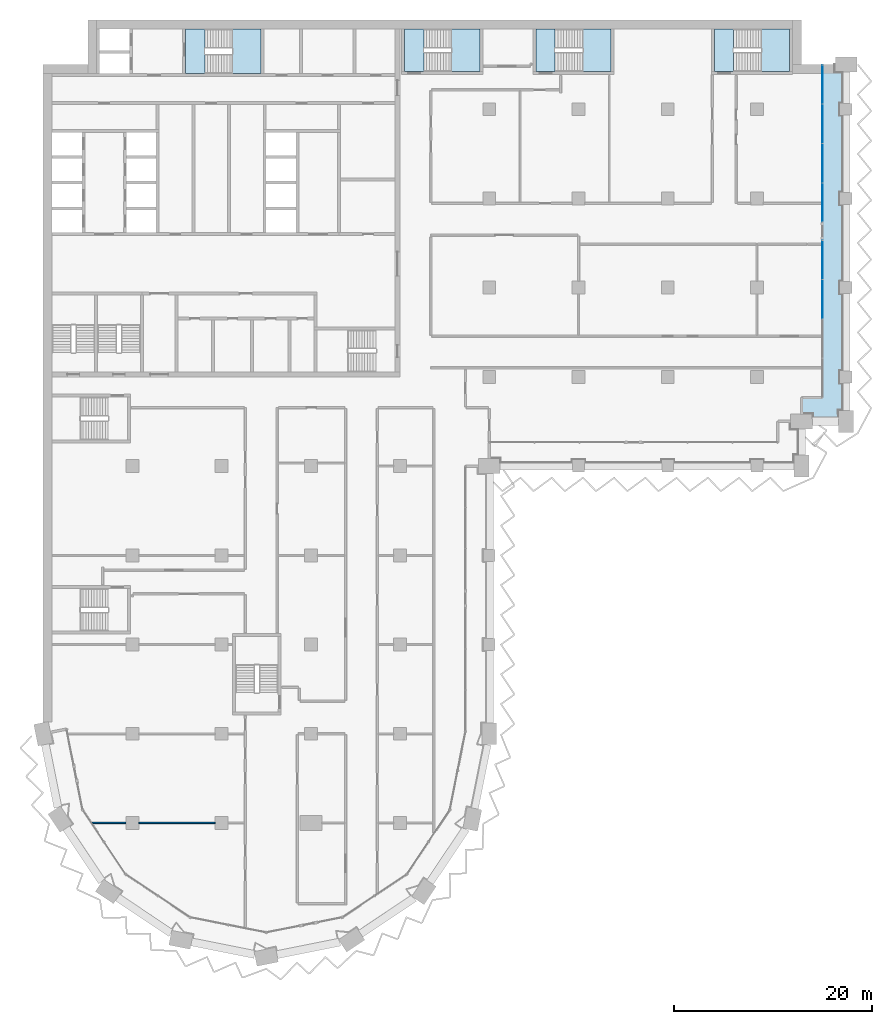
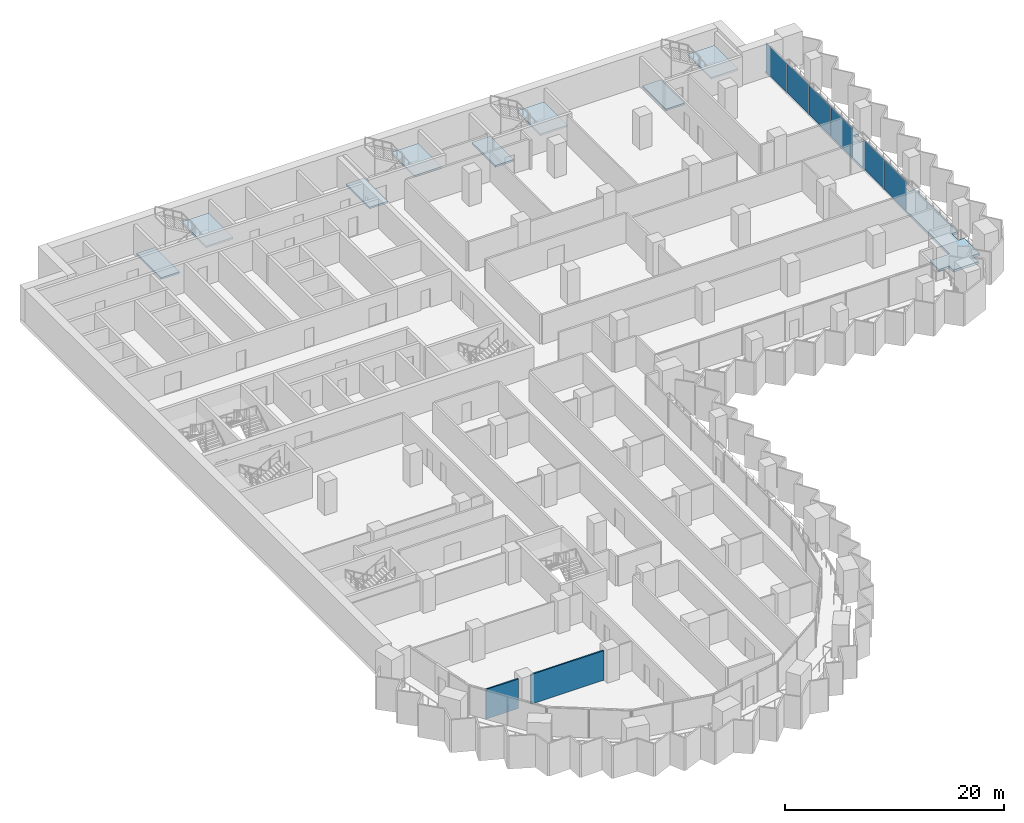
# One storey, part 8 of 23: 9 slabs, 6 plates, 2 walls, 6 elements without a shape of their own.
"""IFC4 building model written with IfcOpenShell, lengths in metres."""

from ifc_helpers import new_model, si_unit, direction, frame, frame_2d, origin, origin_2d, place, context, subcontext, project, spatial, polyline, rectangle, outline, extrude, material, layer, layer_set, type_object, element, aggregate, save


model = new_model("IFC4")

# Units and contexts
model_context = context("Model", 3, precision=1e-05, world=origin(), true_north=direction((0.0, 1.0)))
body_context = subcontext(model_context, "Body", "Model", "MODEL_VIEW")
ifc_project = project(units=[si_unit("LENGTHUNIT", "METRE"), si_unit("AREAUNIT", "SQUARE_METRE"), si_unit("VOLUMEUNIT", "CUBIC_METRE"), si_unit("PLANEANGLEUNIT", "RADIAN"), si_unit("MASSUNIT", "GRAM", prefix="KILO")], contexts=[model_context])

# Site, building, storey
site_placement = place(None, origin())
site = spatial("IfcSite", under=ifc_project, at=site_placement, CompositionType="ELEMENT")
building_placement = place(site_placement, origin())
building = spatial("IfcBuilding", under=site, at=building_placement, Name="Hunhe Ridgeline Campus", CompositionType="ELEMENT")
storey_placement = place(building_placement, frame((0.0, 0.0, 121.800048828125)))
storey = spatial("IfcBuildingStorey", under=building, at=storey_placement, Name="L30", CompositionType="ELEMENT", Elevation=121.800048828125)

# Curtain wall, plates
ifc_material_1 = material(Name="Aluminium 6063", Category="aluminium")
curtain_wall_type = type_object("IfcCurtainWallType", Name="Curtain wall CW-1", PredefinedType="NOTDEFINED", material=ifc_material_1)
curtain_wall_1_placement = place(storey_placement, origin())
curtain_wall_1 = element("IfcCurtainWall", 1, at=curtain_wall_1_placement, inside=storey, type_object=curtain_wall_type, Name="Curtain wall 15", PredefinedType="NOTDEFINED")
ifc_material_2 = material(Name="Low-e laminated glass", Category="glass")
ifc_layer_1 = layer(ifc_material_2, 0.028076171875)
ifc_layer_set_1 = layer_set([ifc_layer_1], Name="Curtain wall glass panel 28 low-e laminated")
plate_type = type_object("IfcPlateType", Name="Curtain wall glass panel 28 low-e laminated", PredefinedType="CURTAIN_PANEL", material=ifc_layer_set_1)
plate_1_placement = place(storey_placement, frame((78.59912109375, 70.838134765625, 0.0), z_axis=(0.0, 0.0, 1.0), x_axis=(0.0, 1.0, 0.0)))
plate_1 = element("IfcPlate", 2, at=plate_1_placement, type_object=plate_type, Name="CW-1 panel 3", PredefinedType="CURTAIN_PANEL", context=body_context, shape_type="SweptSolid", body=[
    extrude(rectangle(XDim=3.914794921875, YDim=0.028076171875, at=origin_2d()), origin(), (0.0, 0.0, 1.0), 3.239990234375),
])
plate_2_placement = place(storey_placement, frame((78.59912109375, 74.798095703125, 0.0), z_axis=(0.0, 0.0, 1.0), x_axis=(0.0, 1.0, 0.0)))
plate_2 = element("IfcPlate", 3, at=plate_2_placement, type_object=plate_type, Name="CW-1 panel 4", PredefinedType="CURTAIN_PANEL", context=body_context, shape_type="SweptSolid", body=[
    extrude(rectangle(XDim=3.884765625, YDim=0.028076171875, at=origin_2d()), origin(), (0.0, 0.0, 1.0), 3.239990234375),
])
aggregate(curtain_wall_1, [plate_1, plate_2])

curtain_wall_2_placement = place(storey_placement, origin())
curtain_wall_2 = element("IfcCurtainWall", 4, at=curtain_wall_2_placement, inside=storey, type_object=curtain_wall_type, Name="Curtain wall 16", PredefinedType="NOTDEFINED")
plate_3_placement = place(storey_placement, frame((78.59912109375, 80.60302734375, 0.0), z_axis=(0.0, 0.0, 1.0), x_axis=(0.0, 1.0, 0.0)))
plate_3 = element("IfcPlate", 5, at=plate_3_placement, type_object=plate_type, Name="CW-1 panel 1", PredefinedType="CURTAIN_PANEL", context=body_context, shape_type="SweptSolid", body=[
    extrude(rectangle(XDim=3.884765625, YDim=0.028076171875, at=origin_2d()), origin(), (0.0, 0.0, 1.0), 3.239990234375),
])
plate_4_placement = place(storey_placement, frame((78.59912109375, 84.562744140625, 0.0), z_axis=(0.0, 0.0, 1.0), x_axis=(0.0, 1.0, 0.0)))
plate_4 = element("IfcPlate", 6, at=plate_4_placement, type_object=plate_type, Name="CW-1 panel 2", PredefinedType="CURTAIN_PANEL", context=body_context, shape_type="SweptSolid", body=[
    extrude(rectangle(XDim=3.914794921875, YDim=0.028076171875, at=origin_2d()), origin(), (0.0, 0.0, 1.0), 3.239990234375),
])
plate_5_placement = place(storey_placement, frame((78.59912109375, 88.53759765625, 0.0), z_axis=(0.0, 0.0, 1.0), x_axis=(0.0, 1.0, 0.0)))
plate_5 = element("IfcPlate", 7, at=plate_5_placement, type_object=plate_type, Name="CW-1 panel 3", PredefinedType="CURTAIN_PANEL", context=body_context, shape_type="SweptSolid", body=[
    extrude(rectangle(XDim=3.914794921875, YDim=0.028076171875, at=origin_2d()), origin(), (0.0, 0.0, 1.0), 3.239990234375),
])
plate_6_placement = place(storey_placement, frame((78.59912109375, 92.49755859375, 0.0), z_axis=(0.0, 0.0, 1.0), x_axis=(0.0, 1.0, 0.0)))
plate_6 = element("IfcPlate", 8, at=plate_6_placement, type_object=plate_type, Name="CW-1 panel 4", PredefinedType="CURTAIN_PANEL", context=body_context, shape_type="SweptSolid", body=[
    extrude(rectangle(XDim=3.884765625, YDim=0.028076171875, at=origin_2d()), origin(), (0.0, 0.0, 1.0), 3.239990234375),
])
aggregate(curtain_wall_2, [plate_3, plate_4, plate_5, plate_6])

# Slab
ifc_material_3 = material(Name="Concrete C40", Category="concrete")
ifc_layer_2 = layer(ifc_material_3, 0.25)
ifc_layer_set_2 = layer_set([ifc_layer_2], Name="Loggia slab 250 Concrete C40")
slab_type_1 = type_object("IfcSlabType", Name="Loggia slab 250 Concrete C40", PredefinedType="FLOOR", material=ifc_layer_set_2)
slab_1_placement = place(storey_placement, frame((0.0, 0.0, -0.25)))
element("IfcSlab", 9, at=slab_1_placement, inside=storey, type_object=slab_type_1, Name="Loggia slab 3", PredefinedType="FLOOR", context=body_context, shape_type="SweptSolid", body=[
    extrude(outline(polyline([(76.5, 59.25), (77.60009765625, 59.25), (77.60009765625, 58.5), (80.25, 58.5), (80.25, 59.60009765625), (81.0, 59.60009765625), (81.0, 62.39990234375), (80.39990234375, 62.39990234375), (80.39990234375, 63.60009765625), (81.0, 63.60009765625), (81.0, 71.39990234375), (80.39990234375, 71.39990234375), (80.39990234375, 72.60009765625), (81.0, 72.60009765625), (81.0, 80.39990234375), (80.39990234375, 80.39990234375), (80.39990234375, 81.60009765625), (81.0, 81.60009765625), (81.0, 89.39990234375), (80.39990234375, 89.39990234375), (80.39990234375, 90.60009765625), (81.0, 90.60009765625), (81.0, 93.75), (79.89990234375, 93.75), (79.89990234375, 94.5), (78.60009765625, 94.5), (78.60009765625, 60.89990234375), (76.5, 60.89990234375), (76.5, 59.25)])), origin(), (0.0, 0.0, 1.0), 0.25),
])

# Stair, slab
stair_type = type_object("IfcStairType", Name="Reinforced concrete dog-leg stair 1950 Concrete C40", PredefinedType="HALF_TURN_STAIR", material=ifc_material_3)
stair_1_placement = place(storey_placement, origin())
stair_1 = element("IfcStair", 10, at=stair_1_placement, inside=storey, type_object=stair_type, Name="L30 S1", PredefinedType="HALF_TURN_STAIR")
ifc_layer_3 = layer(ifc_material_3, 0.199951171875)
ifc_layer_set_3 = layer_set([ifc_layer_3], Name="Reinforced concrete stair landing 200 Concrete C40")
slab_type_2 = type_object("IfcSlabType", Name="Reinforced concrete stair landing 200 Concrete C40", PredefinedType="LANDING", material=ifc_layer_set_3)
slab_2_placement = place(storey_placement, frame((0.0, 0.0, 1.64990234375)))
slab_2 = element("IfcSlab", 11, at=slab_2_placement, type_object=slab_type_2, Name="ST1 landing 1", PredefinedType="LANDING", context=body_context, shape_type="SweptSolid", body=[
    extrude(outline(polyline([(19.10009765625, 93.60009765625), (21.949951171875, 93.60009765625), (21.949951171875, 98.10009765625), (19.10009765625, 98.10009765625), (19.10009765625, 93.60009765625)])), origin(), (0.0, 0.0, 1.0), 0.199951171875),
])
aggregate(stair_1, [slab_2])

# Slab
slab_3_placement = place(storey_placement, frame((0.0, 0.0, -0.199951171875)))
element("IfcSlab", 12, at=slab_3_placement, inside=storey, type_object=slab_type_2, Name="L30 stair S1 floor landing", PredefinedType="LANDING", context=body_context, shape_type="SweptSolid", body=[
    extrude(outline(polyline([(14.35009765625, 93.60009765625), (16.300048828125, 93.60009765625), (16.300048828125, 98.10009765625), (14.35009765625, 98.10009765625), (14.35009765625, 93.60009765625)])), origin(), (0.0, 0.0, 1.0), 0.199951171875),
])

# Stair, slab
stair_2_placement = place(storey_placement, origin())
stair_2 = element("IfcStair", 13, at=stair_2_placement, inside=storey, type_object=stair_type, Name="L30 E1", PredefinedType="HALF_TURN_STAIR")
slab_4_placement = place(storey_placement, frame((0.0, 0.0, 1.64990234375)))
slab_4 = element("IfcSlab", 14, at=slab_4_placement, type_object=slab_type_2, Name="ST5 landing 1", PredefinedType="LANDING", context=body_context, shape_type="SweptSolid", body=[
    extrude(outline(polyline([(41.199951171875, 93.800048828125), (44.050048828125, 93.800048828125), (44.050048828125, 98.10009765625), (41.199951171875, 98.10009765625), (41.199951171875, 93.800048828125)])), origin(), (0.0, 0.0, 1.0), 0.199951171875),
])
aggregate(stair_2, [slab_4])

# Slab
slab_5_placement = place(storey_placement, frame((0.0, 0.0, -0.199951171875)))
element("IfcSlab", 15, at=slab_5_placement, inside=storey, type_object=slab_type_2, Name="L30 stair E1 floor landing", PredefinedType="LANDING", context=body_context, shape_type="SweptSolid", body=[
    extrude(outline(polyline([(36.449951171875, 93.800048828125), (38.39990234375, 93.800048828125), (38.39990234375, 98.10009765625), (36.449951171875, 98.10009765625), (36.449951171875, 93.800048828125)])), origin(), (0.0, 0.0, 1.0), 0.199951171875),
])

# Stair, slab
stair_3_placement = place(storey_placement, origin())
stair_3 = element("IfcStair", 16, at=stair_3_placement, inside=storey, type_object=stair_type, Name="L30 E2", PredefinedType="HALF_TURN_STAIR")
slab_6_placement = place(storey_placement, frame((0.0, 0.0, 1.64990234375)))
slab_6 = element("IfcSlab", 17, at=slab_6_placement, type_object=slab_type_2, Name="ST6 landing 1", PredefinedType="LANDING", context=body_context, shape_type="SweptSolid", body=[
    extrude(outline(polyline([(54.449951171875, 93.800048828125), (57.300048828125, 93.800048828125), (57.300048828125, 98.10009765625), (54.449951171875, 98.10009765625), (54.449951171875, 93.800048828125)])), origin(), (0.0, 0.0, 1.0), 0.199951171875),
])
aggregate(stair_3, [slab_6])

# Slab
slab_7_placement = place(storey_placement, frame((0.0, 0.0, -0.199951171875)))
element("IfcSlab", 18, at=slab_7_placement, inside=storey, type_object=slab_type_2, Name="L30 stair E2 floor landing", PredefinedType="LANDING", context=body_context, shape_type="SweptSolid", body=[
    extrude(outline(polyline([(49.699951171875, 93.800048828125), (51.64990234375, 93.800048828125), (51.64990234375, 98.10009765625), (49.699951171875, 98.10009765625), (49.699951171875, 93.800048828125)])), origin(), (0.0, 0.0, 1.0), 0.199951171875),
])

# Stair, slab
stair_4_placement = place(storey_placement, origin())
stair_4 = element("IfcStair", 19, at=stair_4_placement, inside=storey, type_object=stair_type, Name="L30 E3", PredefinedType="HALF_TURN_STAIR")
slab_8_placement = place(storey_placement, frame((0.0, 0.0, 1.64990234375)))
slab_8 = element("IfcSlab", 20, at=slab_8_placement, type_object=slab_type_2, Name="ST7 landing 1", PredefinedType="LANDING", context=body_context, shape_type="SweptSolid", body=[
    extrude(outline(polyline([(72.449951171875, 93.800048828125), (75.300048828125, 93.800048828125), (75.300048828125, 98.10009765625), (72.449951171875, 98.10009765625), (72.449951171875, 93.800048828125)])), origin(), (0.0, 0.0, 1.0), 0.199951171875),
])
aggregate(stair_4, [slab_8])

# Slab
slab_9_placement = place(storey_placement, frame((0.0, 0.0, -0.199951171875)))
element("IfcSlab", 21, at=slab_9_placement, inside=storey, type_object=slab_type_2, Name="L30 stair E3 floor landing", PredefinedType="LANDING", context=body_context, shape_type="SweptSolid", body=[
    extrude(outline(polyline([(67.699951171875, 93.800048828125), (69.64990234375, 93.800048828125), (69.64990234375, 98.10009765625), (67.699951171875, 98.10009765625), (67.699951171875, 93.800048828125)])), origin(), (0.0, 0.0, 1.0), 0.199951171875),
])

# Walls
ifc_material_4 = material(Name="Gypsum board partition")
ifc_layer_4 = layer(ifc_material_4, 0.14990234375)
ifc_layer_set_4 = layer_set([ifc_layer_4], Name="Room partition 150 gypsum board on steel studs")
wall_type = type_object("IfcWallType", Name="Room partition 150 gypsum board on steel studs", PredefinedType="PARTITIONING", material=ifc_layer_set_4)
wall_1_placement = place(storey_placement, frame((4.925537109375, 18.0, 0.0), z_axis=(0.0, 0.0, 1.0), x_axis=(1.0, 0.0, 0.0)))
element("IfcWall", 22, at=wall_1_placement, inside=storey, type_object=wall_type, Name="F-L30-wall-002", PredefinedType="PARTITIONING", context=body_context, shape_type="SweptSolid", body=[
    extrude(rectangle(XDim=3.424560546875, YDim=0.14990234375, at=frame_2d((1.71240234375, 0.0))), origin(), (0.0, 0.0, 1.0), 3.300048828125),
])
wall_2_placement = place(storey_placement, frame((9.64990234375, 18.0, 0.0), z_axis=(0.0, 0.0, 1.0), x_axis=(1.0, 0.0, 0.0)))
element("IfcWall", 23, at=wall_2_placement, inside=storey, type_object=wall_type, Name="F-L30-wall-003", PredefinedType="PARTITIONING", context=body_context, shape_type="SweptSolid", body=[
    extrude(rectangle(XDim=7.7001953125, YDim=0.14990234375, at=frame_2d((3.85009765625, 0.0))), origin(), (0.0, 0.0, 1.0), 3.300048828125),
])

save(model, "model.ifc")
